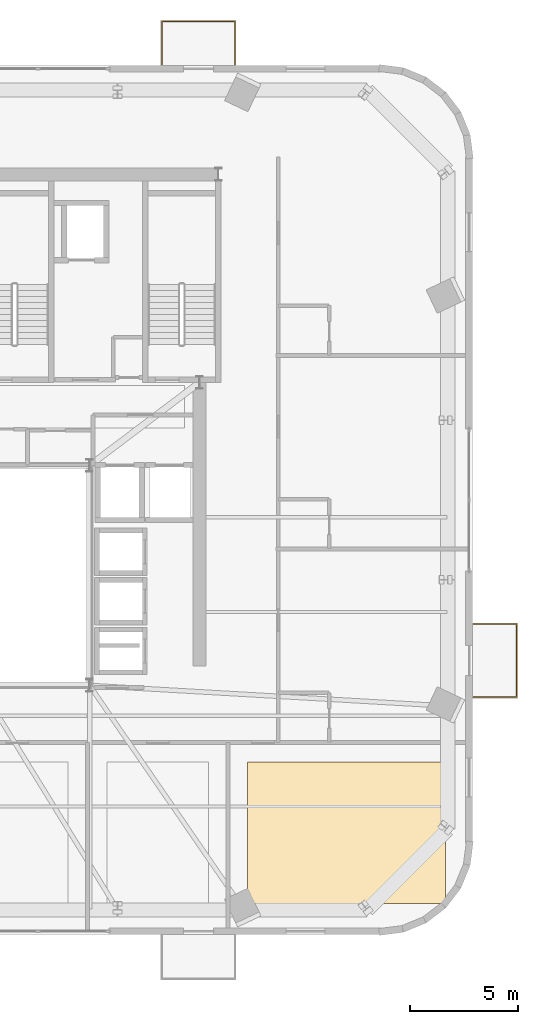
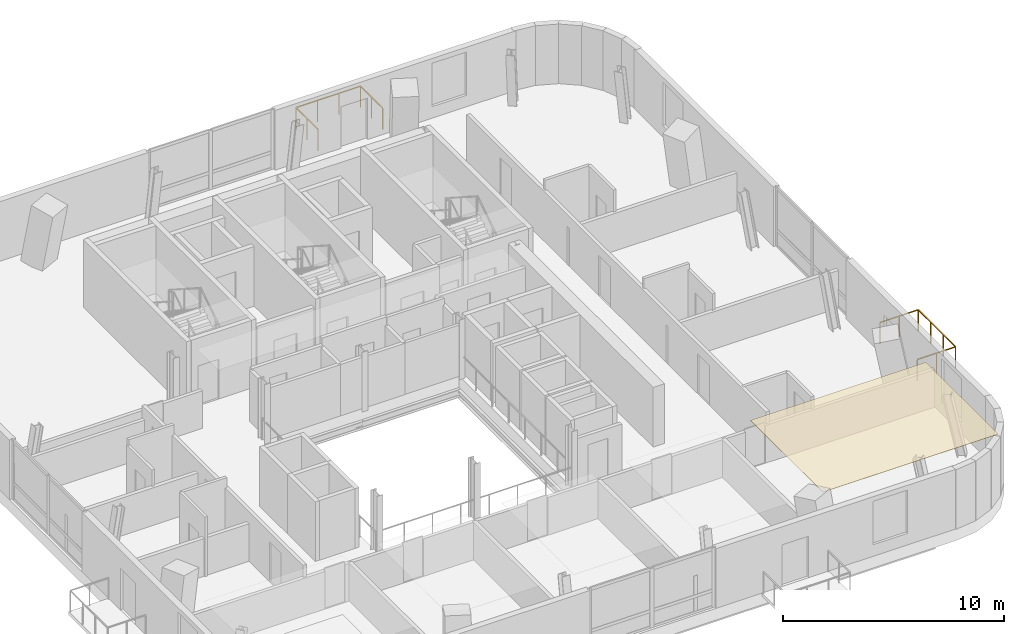
# One storey, part 13 of 13: 2 railings, 1 covering.
"""IFC4 building model written with IfcOpenShell, lengths in metres."""

from ifc_helpers import new_model, si_unit, direction, frame, origin, origin_2d, place, context, subcontext, project, spatial, polyline, rectangle, outline, extrude, source, transform, mapped, material, layer, layer_set, type_object, element, save


model = new_model("IFC4")

# Units and contexts
model_context = context("Model", 3, precision=1e-05, world=origin(), true_north=direction((0.0, 1.0)))
body_context = subcontext(model_context, "Body", "Model", "MODEL_VIEW")
ifc_project = project(units=[si_unit("LENGTHUNIT", "METRE"), si_unit("AREAUNIT", "SQUARE_METRE"), si_unit("VOLUMEUNIT", "CUBIC_METRE"), si_unit("PLANEANGLEUNIT", "RADIAN"), si_unit("MASSUNIT", "GRAM", prefix="KILO")], contexts=[model_context])

# Site, building, storey
site_placement = place(None, origin())
site = spatial("IfcSite", under=ifc_project, at=site_placement, CompositionType="ELEMENT")
building_placement = place(site_placement, origin())
building = spatial("IfcBuilding", under=site, at=building_placement, Name="Vardaveli Station Tower", CompositionType="ELEMENT")
storey_placement = place(building_placement, frame((0.0, 0.0, 278.25)))
storey = spatial("IfcBuildingStorey", under=building, at=storey_placement, Name="L71", CompositionType="ELEMENT", Elevation=278.25)

# Covering
ifc_material_1 = material(Name="Perforated acoustic mineral ceiling")
ifc_layer = layer(ifc_material_1, 0.02001953125, Name="Perforated acoustic mineral ceiling")
ifc_layer_set = layer_set([ifc_layer], Name="Perforated acoustic mineral ceiling")
covering_type = type_object("IfcCoveringType", Name="COV-CEIL-AC20", PredefinedType="CEILING", material=ifc_layer_set)
covering_placement = place(storey_placement, frame((0.0, 0.0, 3.284912109375)))
element("IfcCovering", 1, at=covering_placement, inside=storey, type_object=covering_type, Name="CEIL-L71-5", PredefinedType="CEILING", context=body_context, shape_type="SweptSolid", body=[
    extrude(outline(polyline([(48.719970703125, 6.489990234375), (57.909912109375, 6.489990234375), (57.909912109375, 13.050048828125), (48.719970703125, 13.050048828125), (48.719970703125, 6.489990234375)])), origin(), (0.0, 0.0, 1.0), 0.02001953125),
])

# Railings
ifc_material_2 = material(Name="Laminated glass and stainless steel balustrade", Category="steel")
railing_type = type_object("IfcRailingType", Name="RL-BAL-1200", PredefinedType="BALUSTRADE", material=ifc_material_2)
shared_shape_1 = source(origin(), body_context, "Body", "SweptSolid", [
    extrude(rectangle(XDim=0.048095703125, YDim=0.048095703125, at=origin_2d()), frame((0.0, 0.0, 1.17578125), z_axis=(1.0, 0.0, 0.0), x_axis=(0.0, 1.0, 0.0)), (0.0, 0.0, 1.0), 2.0),
    extrude(rectangle(XDim=0.048095703125, YDim=0.048095703125, at=origin_2d()), frame((2.0, 0.0, 1.17578125), z_axis=(0.0, 1.0, 0.0), x_axis=(-1.0, 0.0, 0.0)), (0.0, 0.0, 1.0), 3.3798828125),
    extrude(rectangle(XDim=0.048095703125, YDim=0.048095703125, at=origin_2d()), frame((2.0, 3.3798828125, 1.17578125), z_axis=(-1.0, 0.0, 0.0), x_axis=(0.0, -1.0, 0.0)), (0.0, 0.0, 1.0), 2.0),
    extrude(rectangle(XDim=0.0419921875, YDim=0.0419921875, at=origin_2d()), origin(), (0.0, 0.0, 1.0), 1.15185546875),
    extrude(rectangle(XDim=0.0419921875, YDim=0.0419921875, at=origin_2d()), frame((1.0, 0.0, 0.0)), (0.0, 0.0, 1.0), 1.15185546875),
    extrude(rectangle(XDim=0.0419921875, YDim=0.0419921875, at=origin_2d()), frame((2.0, 0.0, 0.0)), (0.0, 0.0, 1.0), 1.15185546875),
    extrude(rectangle(XDim=0.0419921875, YDim=0.0419921875, at=origin_2d()), frame((2.0, 1.126708984375, 0.0)), (0.0, 0.0, 1.0), 1.15185546875),
    extrude(rectangle(XDim=0.0419921875, YDim=0.0419921875, at=origin_2d()), frame((2.0, 2.253173828125, 0.0)), (0.0, 0.0, 1.0), 1.15185546875),
    extrude(rectangle(XDim=0.0419921875, YDim=0.0419921875, at=origin_2d()), frame((2.0, 3.3798828125, 0.0)), (0.0, 0.0, 1.0), 1.15185546875),
    extrude(rectangle(XDim=0.0419921875, YDim=0.0419921875, at=origin_2d()), frame((1.0, 3.3798828125, 0.0)), (0.0, 0.0, 1.0), 1.15185546875),
    extrude(rectangle(XDim=0.0419921875, YDim=0.0419921875, at=origin_2d()), frame((0.0, 3.3798828125, 0.0)), (0.0, 0.0, 1.0), 1.15185546875),
])
railing_1_placement = place(storey_placement, frame((59.199951171875, 16.0625, 0.0)))
element("IfcRailing", 2, at=railing_1_placement, inside=storey, type_object=railing_type, Name="RL-LOG-L71-04", PredefinedType="BALUSTRADE", context=body_context, shape_type="MappedRepresentation", body=[
    mapped(shared_shape_1, transform((0.0, 0.0, 0.0), scale=1.0)),
])
shared_shape_2 = source(origin(), body_context, "Body", "SweptSolid", [
    extrude(rectangle(XDim=0.048095703125, YDim=0.048095703125, at=origin_2d()), frame((0.0, 0.0, 1.17578125), z_axis=(0.0, 1.0, 0.0), x_axis=(-1.0, 0.0, 0.0)), (0.0, 0.0, 1.0), 2.0),
    extrude(rectangle(XDim=0.048095703125, YDim=0.048095703125, at=origin_2d()), frame((0.0, 2.0, 1.17578125), z_axis=(1.0, 0.0, 0.0), x_axis=(0.0, 1.0, 0.0)), (0.0, 0.0, 1.0), 3.380126953125),
    extrude(rectangle(XDim=0.048095703125, YDim=0.048095703125, at=origin_2d()), frame((3.380126953125, 2.0, 1.17578125), z_axis=(0.0, -1.0, 0.0), x_axis=(1.0, 0.0, 0.0)), (0.0, 0.0, 1.0), 2.0),
    extrude(rectangle(XDim=0.0419921875, YDim=0.0419921875, at=origin_2d()), origin(), (0.0, 0.0, 1.0), 1.15185546875),
    extrude(rectangle(XDim=0.0419921875, YDim=0.0419921875, at=origin_2d()), frame((0.0, 1.0, 0.0)), (0.0, 0.0, 1.0), 1.15185546875),
    extrude(rectangle(XDim=0.0419921875, YDim=0.0419921875, at=origin_2d()), frame((0.0, 2.0, 0.0)), (0.0, 0.0, 1.0), 1.15185546875),
    extrude(rectangle(XDim=0.0419921875, YDim=0.0419921875, at=origin_2d()), frame((1.126708984375, 2.0, 0.0)), (0.0, 0.0, 1.0), 1.15185546875),
    extrude(rectangle(XDim=0.0419921875, YDim=0.0419921875, at=origin_2d()), frame((2.25341796875, 2.0, 0.0)), (0.0, 0.0, 1.0), 1.15185546875),
    extrude(rectangle(XDim=0.0419921875, YDim=0.0419921875, at=origin_2d()), frame((3.380126953125, 2.0, 0.0)), (0.0, 0.0, 1.0), 1.15185546875),
    extrude(rectangle(XDim=0.0419921875, YDim=0.0419921875, at=origin_2d()), frame((3.380126953125, 1.0, 0.0)), (0.0, 0.0, 1.0), 1.15185546875),
    extrude(rectangle(XDim=0.0419921875, YDim=0.0419921875, at=origin_2d()), frame((3.380126953125, 0.0, 0.0)), (0.0, 0.0, 1.0), 1.15185546875),
])
railing_2_placement = place(storey_placement, frame((44.757568359375, 45.39990234375, 0.0)))
element("IfcRailing", 3, at=railing_2_placement, inside=storey, type_object=railing_type, Name="RL-LOG-L71-02", PredefinedType="BALUSTRADE", context=body_context, shape_type="MappedRepresentation", body=[
    mapped(shared_shape_2, transform((0.0, 0.0, 0.0), scale=1.0)),
])

save(model, "model.ifc")
